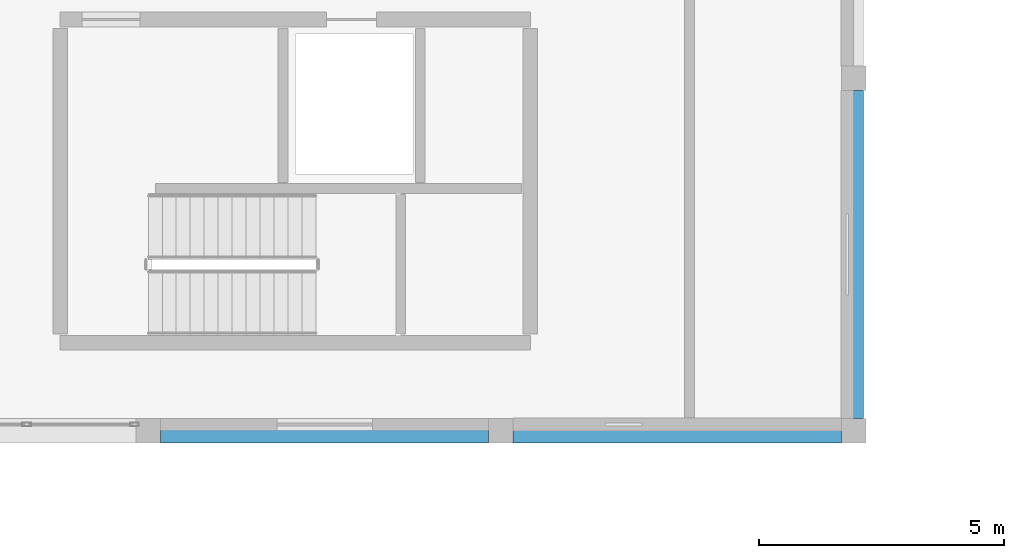
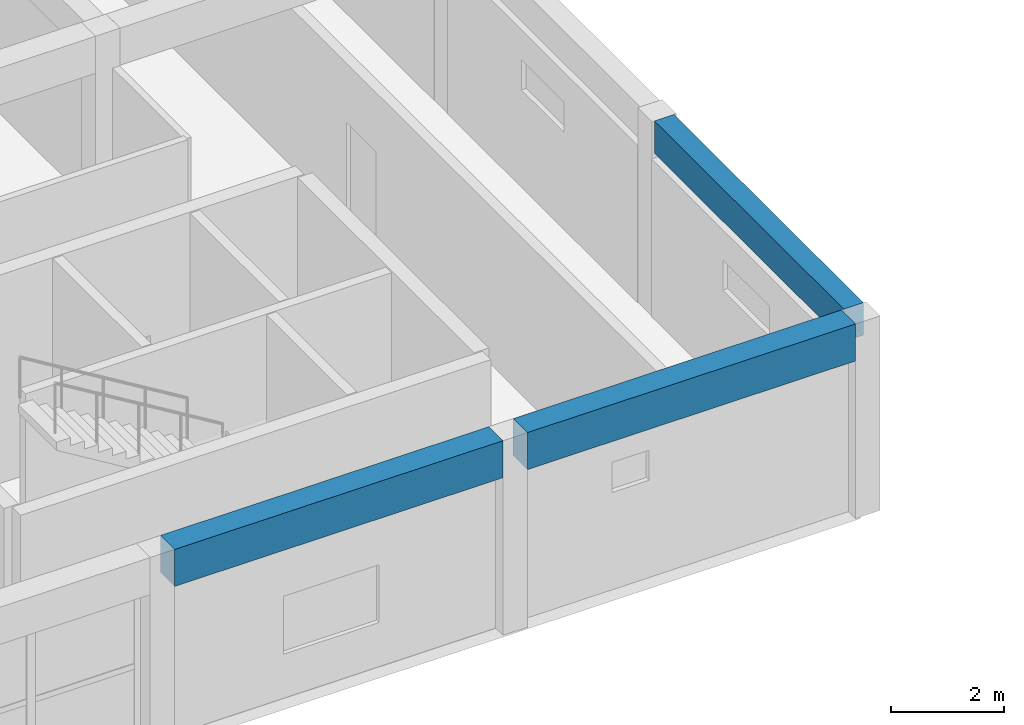
# One storey, part 9 of 153: 3 beams.
"""IFC4 building model written with IfcOpenShell, lengths in metres."""

from ifc_helpers import new_model, si_unit, direction, frame, origin, origin_2d, place, context, subcontext, project, spatial, rectangle, extrude, material, material_profile, profile_set, type_object, element, save


model = new_model("IFC4")

# Units and contexts
model_context = context("Model", 3, precision=1e-05, world=origin(), true_north=direction((0.0, 1.0)))
body_context = subcontext(model_context, "Body", "Model", "MODEL_VIEW")
ifc_project = project(units=[si_unit("LENGTHUNIT", "METRE"), si_unit("AREAUNIT", "SQUARE_METRE"), si_unit("VOLUMEUNIT", "CUBIC_METRE"), si_unit("PLANEANGLEUNIT", "RADIAN"), si_unit("MASSUNIT", "GRAM", prefix="KILO")], contexts=[model_context])

# Site, building, storey
site_placement = place(None, origin())
site = spatial("IfcSite", under=ifc_project, at=site_placement, CompositionType="ELEMENT")
building_placement = place(site_placement, origin())
building = spatial("IfcBuilding", under=site, at=building_placement, Name="Bramvelor Terrace Health Centre", CompositionType="ELEMENT")
storey_placement = place(building_placement, frame((0.0, 0.0, 4.800048828125)))
storey = spatial("IfcBuildingStorey", under=building, at=storey_placement, Name="L02", CompositionType="ELEMENT", Elevation=4.800048828125)

# Beams
ifc_material_1 = material(Name="Concrete C40/50", Category="concrete")
ifc_material_profile_1 = material_profile(ifc_material_1, rectangle(XDim=0.39990234375, YDim=0.699951171875, at=origin_2d()), Name="RC 400x700")
ifc_profile_set_1 = profile_set([ifc_material_profile_1], Name="Concrete C40/50")
beam_type_1 = type_object("IfcBeamType", Name="BM-RC-G700", PredefinedType="BEAM", material=ifc_profile_set_1)
beam_1_placement = place(storey_placement, frame((21.60009765625, 29.050048828125, 3.849853515625), z_axis=(0.0, 1.0, 0.0), x_axis=(-1.0, 0.0, 0.0)))
element("IfcBeam", 1, at=beam_1_placement, inside=storey, type_object=beam_type_1, Name="L02 Floor Girder", PredefinedType="BEAM", context=body_context, shape_type="SweptSolid", body=[
    extrude(rectangle(XDim=0.39990234375, YDim=0.699951171875, at=origin_2d()), origin(), (0.0, 0.0, 1.0), 6.699951171875),
])
ifc_material_2 = material(Name="Concrete C40/50", Category="concrete")
ifc_material_profile_2 = material_profile(ifc_material_2, rectangle(XDim=0.5, YDim=0.800048828125, at=origin_2d()), Name="RC 500x800")
ifc_profile_set_2 = profile_set([ifc_material_profile_2], Name="Concrete C40/50")
beam_type_2 = type_object("IfcBeamType", Name="BM-RC-G800", PredefinedType="BEAM", material=ifc_profile_set_2)
beam_2_placement = place(storey_placement, frame((7.449951171875, 28.800048828125, 3.800048828125), z_axis=(1.0, 0.0, 0.0), x_axis=(0.0, 1.0, 0.0)))
element("IfcBeam", 2, at=beam_2_placement, inside=storey, type_object=beam_type_2, Name="L02 Floor Girder", PredefinedType="BEAM", context=body_context, shape_type="SweptSolid", body=[
    extrude(rectangle(XDim=0.5, YDim=0.800048828125, at=origin_2d()), origin(), (0.0, 0.0, 1.0), 6.699951171875),
])
beam_3_placement = place(storey_placement, frame((14.64990234375, 28.800048828125, 3.800048828125), z_axis=(1.0, 0.0, 0.0), x_axis=(0.0, 1.0, 0.0)))
element("IfcBeam", 3, at=beam_3_placement, inside=storey, type_object=beam_type_2, Name="L02 Floor Girder", PredefinedType="BEAM", context=body_context, shape_type="SweptSolid", body=[
    extrude(rectangle(XDim=0.5, YDim=0.800048828125, at=origin_2d()), origin(), (0.0, 0.0, 1.0), 6.7001953125),
])

save(model, "model.ifc")
